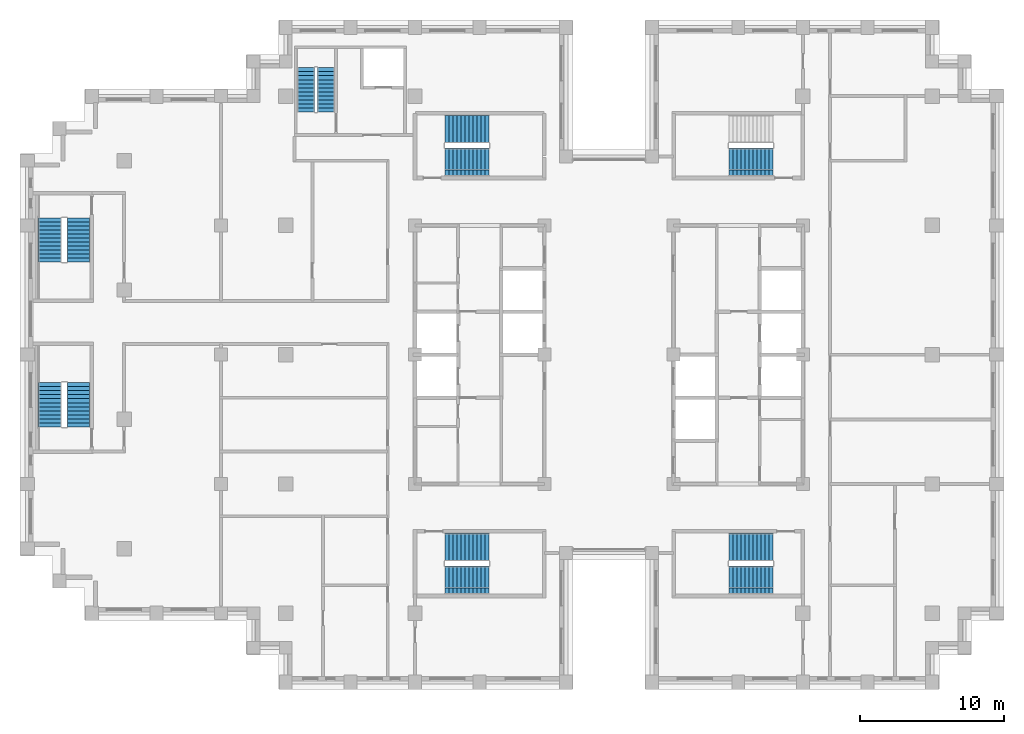
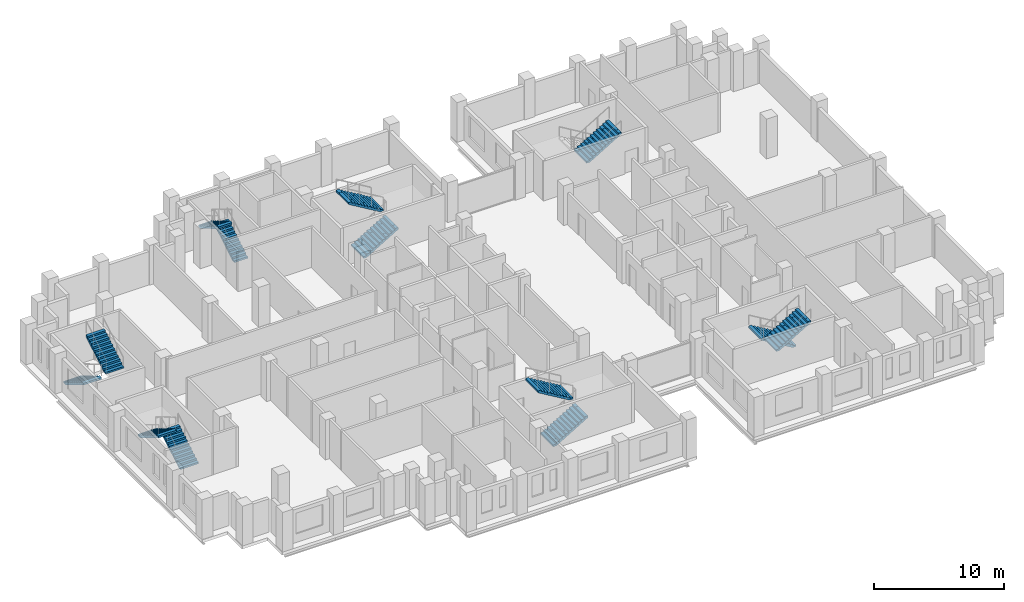
# One storey, part 12 of 15: 13 stair flights, 7 elements without a shape of their own.
"""IFC4 building model written with IfcOpenShell, lengths in metres."""

from ifc_helpers import new_model, si_unit, direction, frame, origin, place, context, subcontext, project, spatial, polyline, outline, extrude, material, type_object, element, aggregate, save


model = new_model("IFC4")

# Units and contexts
model_context = context("Model", 3, precision=1e-05, world=origin(), true_north=direction((0.0, 1.0)))
body_context = subcontext(model_context, "Body", "Model", "MODEL_VIEW")
ifc_project = project(units=[si_unit("LENGTHUNIT", "METRE"), si_unit("AREAUNIT", "SQUARE_METRE"), si_unit("VOLUMEUNIT", "CUBIC_METRE"), si_unit("PLANEANGLEUNIT", "RADIAN"), si_unit("MASSUNIT", "GRAM", prefix="KILO")], contexts=[model_context])

# Site, building, storey
site_placement = place(None, origin())
site = spatial("IfcSite", under=ifc_project, at=site_placement, CompositionType="ELEMENT")
building_placement = place(site_placement, origin())
building = spatial("IfcBuilding", under=site, at=building_placement, Name="Corbelhall Arena Tower", CompositionType="ELEMENT")
storey_placement = place(building_placement, frame((0.0, 0.0, 216.0)))
storey = spatial("IfcBuildingStorey", under=building, at=storey_placement, Name="L45", CompositionType="ELEMENT", Elevation=216.0)

# Stair, stair flights
ifc_material = material(Name="Concrete C40/50", Category="concrete")
stair_type = type_object("IfcStairType", Name="IN-ST-TOWER", PredefinedType="HALF_TURN_STAIR", material=ifc_material)
stair_1_placement = place(storey_placement, origin())
stair_1 = element("IfcStair", 1, at=stair_1_placement, inside=storey, type_object=stair_type, Name="L45 Exit stair ST1", PredefinedType="HALF_TURN_STAIR")
stair_flight_type = type_object("IfcStairFlightType", Name="IN-SFL-RC", PredefinedType="STRAIGHT", material=ifc_material)
stair_flight_1_placement = place(storey_placement, frame((-11.425048828125, 13.39990234375, 0.0), z_axis=(0.0, 0.0, 1.0), x_axis=(1.0, 0.0, 0.0)))
stair_flight_1 = element("IfcStairFlight", 2, at=stair_flight_1_placement, type_object=stair_flight_type, Name="ST1 flight 1", NumberOfRisers=12, NumberOfTreads=11, PredefinedType="STRAIGHT", RiserHeight=0.166666667, TreadLength=0.28, context=body_context, shape_type="SweptSolid", body=[
    extrude(outline(polyline([(0.0, 0.0), (0.0, 0.166748046875), (0.280029296875, 0.166748046875), (0.280029296875, 0.333251953125), (0.56005859375, 0.333251953125), (0.56005859375, 0.5), (0.840087890625, 0.5), (0.840087890625, 0.666748046875), (1.1201171875, 0.666748046875), (1.1201171875, 0.833251953125), (1.39990234375, 0.833251953125), (1.39990234375, 1.0), (1.679931640625, 1.0), (1.679931640625, 1.166748046875), (1.9599609375, 1.166748046875), (1.9599609375, 1.333251953125), (2.239990234375, 1.333251953125), (2.239990234375, 1.5), (2.52001953125, 1.5), (2.52001953125, 1.666748046875), (2.800048828125, 1.666748046875), (2.800048828125, 1.833251953125), (3.080078125, 1.833251953125), (3.080078125, 2.0), (3.080078125, 1.658935546875), (0.29296875, 0.0), (0.0, 0.0)])), frame((0.0, 0.97509765625, 0.0), z_axis=(0.0, -1.0, 0.0), x_axis=(1.0, 0.0, 0.0)), (0.0, 0.0, 1.0), 0.449951171875),
    extrude(outline(polyline([(0.0, 0.0), (0.0, 0.166748046875), (0.280029296875, 0.166748046875), (0.280029296875, 0.333251953125), (0.56005859375, 0.333251953125), (0.56005859375, 0.5), (0.840087890625, 0.5), (0.840087890625, 0.666748046875), (1.1201171875, 0.666748046875), (1.1201171875, 0.833251953125), (1.39990234375, 0.833251953125), (1.39990234375, 1.0), (1.679931640625, 1.0), (1.679931640625, 1.166748046875), (1.9599609375, 1.166748046875), (1.9599609375, 1.333251953125), (2.239990234375, 1.333251953125), (2.239990234375, 1.5), (2.52001953125, 1.5), (2.52001953125, 1.666748046875), (2.800048828125, 1.666748046875), (2.800048828125, 1.833251953125), (3.080078125, 1.833251953125), (3.080078125, 2.0), (3.080078125, 1.658935546875), (0.29296875, 0.0), (0.0, 0.0)])), frame((0.0, 0.52099609375, 0.0), z_axis=(0.0, -1.0, 0.0), x_axis=(1.0, 0.0, 0.0)), (0.0, 0.0, 1.0), 1.0419921875),
    extrude(outline(polyline([(0.0, 0.0), (0.0, 0.166748046875), (0.280029296875, 0.166748046875), (0.280029296875, 0.333251953125), (0.56005859375, 0.333251953125), (0.56005859375, 0.5), (0.840087890625, 0.5), (0.840087890625, 0.666748046875), (1.1201171875, 0.666748046875), (1.1201171875, 0.833251953125), (1.39990234375, 0.833251953125), (1.39990234375, 1.0), (1.679931640625, 1.0), (1.679931640625, 1.166748046875), (1.9599609375, 1.166748046875), (1.9599609375, 1.333251953125), (2.239990234375, 1.333251953125), (2.239990234375, 1.5), (2.52001953125, 1.5), (2.52001953125, 1.666748046875), (2.800048828125, 1.666748046875), (2.800048828125, 1.833251953125), (3.080078125, 1.833251953125), (3.080078125, 2.0), (3.080078125, 1.658935546875), (0.29296875, 0.0), (0.0, 0.0)])), frame((0.0, -0.52490234375, 0.0), z_axis=(0.0, -1.0, 0.0), x_axis=(1.0, 0.0, 0.0)), (0.0, 0.0, 1.0), 0.449951171875),
])
stair_flight_2_placement = place(storey_placement, frame((-8.344970703125, 15.699951171875, 2.0), z_axis=(0.0, 0.0, 1.0), x_axis=(-1.0, 0.0, 0.0)))
stair_flight_2 = element("IfcStairFlight", 3, at=stair_flight_2_placement, type_object=stair_flight_type, Name="ST1 flight 2", NumberOfRisers=12, NumberOfTreads=11, PredefinedType="STRAIGHT", RiserHeight=0.166666667, TreadLength=0.28, context=body_context, shape_type="SweptSolid", body=[
    extrude(outline(polyline([(0.0, 0.0), (0.0, 0.166748046875), (0.280029296875, 0.166748046875), (0.280029296875, 0.333251953125), (0.56005859375, 0.333251953125), (0.56005859375, 0.5), (0.840087890625, 0.5), (0.840087890625, 0.666748046875), (1.1201171875, 0.666748046875), (1.1201171875, 0.833251953125), (1.39990234375, 0.833251953125), (1.39990234375, 1.0), (1.679931640625, 1.0), (1.679931640625, 1.166748046875), (1.9599609375, 1.166748046875), (1.9599609375, 1.333251953125), (2.239990234375, 1.333251953125), (2.239990234375, 1.5), (2.52001953125, 1.5), (2.52001953125, 1.666748046875), (2.800048828125, 1.666748046875), (2.800048828125, 1.833251953125), (3.080078125, 1.833251953125), (3.080078125, 2.0), (3.080078125, 1.658935546875), (0.29296875, 0.0), (0.0, 0.0)])), frame((0.0, 0.97509765625, 0.0), z_axis=(0.0, -1.0, 0.0), x_axis=(1.0, 0.0, 0.0)), (0.0, 0.0, 1.0), 0.449951171875),
    extrude(outline(polyline([(0.0, 0.0), (0.0, 0.166748046875), (0.280029296875, 0.166748046875), (0.280029296875, 0.333251953125), (0.56005859375, 0.333251953125), (0.56005859375, 0.5), (0.840087890625, 0.5), (0.840087890625, 0.666748046875), (1.1201171875, 0.666748046875), (1.1201171875, 0.833251953125), (1.39990234375, 0.833251953125), (1.39990234375, 1.0), (1.679931640625, 1.0), (1.679931640625, 1.166748046875), (1.9599609375, 1.166748046875), (1.9599609375, 1.333251953125), (2.239990234375, 1.333251953125), (2.239990234375, 1.5), (2.52001953125, 1.5), (2.52001953125, 1.666748046875), (2.800048828125, 1.666748046875), (2.800048828125, 1.833251953125), (3.080078125, 1.833251953125), (3.080078125, 2.0), (3.080078125, 1.658935546875), (0.29296875, 0.0), (0.0, 0.0)])), frame((0.0, 0.52099609375, 0.0), z_axis=(0.0, -1.0, 0.0), x_axis=(1.0, 0.0, 0.0)), (0.0, 0.0, 1.0), 1.0419921875),
    extrude(outline(polyline([(0.0, 0.0), (0.0, 0.166748046875), (0.280029296875, 0.166748046875), (0.280029296875, 0.333251953125), (0.56005859375, 0.333251953125), (0.56005859375, 0.5), (0.840087890625, 0.5), (0.840087890625, 0.666748046875), (1.1201171875, 0.666748046875), (1.1201171875, 0.833251953125), (1.39990234375, 0.833251953125), (1.39990234375, 1.0), (1.679931640625, 1.0), (1.679931640625, 1.166748046875), (1.9599609375, 1.166748046875), (1.9599609375, 1.333251953125), (2.239990234375, 1.333251953125), (2.239990234375, 1.5), (2.52001953125, 1.5), (2.52001953125, 1.666748046875), (2.800048828125, 1.666748046875), (2.800048828125, 1.833251953125), (3.080078125, 1.833251953125), (3.080078125, 2.0), (3.080078125, 1.658935546875), (0.29296875, 0.0), (0.0, 0.0)])), frame((0.0, -0.52490234375, 0.0), z_axis=(0.0, -1.0, 0.0), x_axis=(1.0, 0.0, 0.0)), (0.0, 0.0, 1.0), 0.449951171875),
])
aggregate(stair_1, [stair_flight_1, stair_flight_2])

stair_2_placement = place(storey_placement, origin())
stair_2 = element("IfcStair", 4, at=stair_2_placement, inside=storey, type_object=stair_type, Name="L45 Exit stair ST2", PredefinedType="HALF_TURN_STAIR")
stair_flight_3_placement = place(storey_placement, frame((-11.425048828125, -15.699951171875, 0.0), z_axis=(0.0, 0.0, 1.0), x_axis=(1.0, 0.0, 0.0)))
stair_flight_3 = element("IfcStairFlight", 5, at=stair_flight_3_placement, type_object=stair_flight_type, Name="ST2 flight 1", NumberOfRisers=12, NumberOfTreads=11, PredefinedType="STRAIGHT", RiserHeight=0.166666667, TreadLength=0.28, context=body_context, shape_type="SweptSolid", body=[
    extrude(outline(polyline([(0.0, 0.0), (0.0, 0.166748046875), (0.280029296875, 0.166748046875), (0.280029296875, 0.333251953125), (0.56005859375, 0.333251953125), (0.56005859375, 0.5), (0.840087890625, 0.5), (0.840087890625, 0.666748046875), (1.1201171875, 0.666748046875), (1.1201171875, 0.833251953125), (1.39990234375, 0.833251953125), (1.39990234375, 1.0), (1.679931640625, 1.0), (1.679931640625, 1.166748046875), (1.9599609375, 1.166748046875), (1.9599609375, 1.333251953125), (2.239990234375, 1.333251953125), (2.239990234375, 1.5), (2.52001953125, 1.5), (2.52001953125, 1.666748046875), (2.800048828125, 1.666748046875), (2.800048828125, 1.833251953125), (3.080078125, 1.833251953125), (3.080078125, 2.0), (3.080078125, 1.658935546875), (0.29296875, 0.0), (0.0, 0.0)])), frame((0.0, 0.97509765625, 0.0), z_axis=(0.0, -1.0, 0.0), x_axis=(1.0, 0.0, 0.0)), (0.0, 0.0, 1.0), 0.449951171875),
    extrude(outline(polyline([(0.0, 0.0), (0.0, 0.166748046875), (0.280029296875, 0.166748046875), (0.280029296875, 0.333251953125), (0.56005859375, 0.333251953125), (0.56005859375, 0.5), (0.840087890625, 0.5), (0.840087890625, 0.666748046875), (1.1201171875, 0.666748046875), (1.1201171875, 0.833251953125), (1.39990234375, 0.833251953125), (1.39990234375, 1.0), (1.679931640625, 1.0), (1.679931640625, 1.166748046875), (1.9599609375, 1.166748046875), (1.9599609375, 1.333251953125), (2.239990234375, 1.333251953125), (2.239990234375, 1.5), (2.52001953125, 1.5), (2.52001953125, 1.666748046875), (2.800048828125, 1.666748046875), (2.800048828125, 1.833251953125), (3.080078125, 1.833251953125), (3.080078125, 2.0), (3.080078125, 1.658935546875), (0.29296875, 0.0), (0.0, 0.0)])), frame((0.0, 0.52099609375, 0.0), z_axis=(0.0, -1.0, 0.0), x_axis=(1.0, 0.0, 0.0)), (0.0, 0.0, 1.0), 1.0419921875),
    extrude(outline(polyline([(0.0, 0.0), (0.0, 0.166748046875), (0.280029296875, 0.166748046875), (0.280029296875, 0.333251953125), (0.56005859375, 0.333251953125), (0.56005859375, 0.5), (0.840087890625, 0.5), (0.840087890625, 0.666748046875), (1.1201171875, 0.666748046875), (1.1201171875, 0.833251953125), (1.39990234375, 0.833251953125), (1.39990234375, 1.0), (1.679931640625, 1.0), (1.679931640625, 1.166748046875), (1.9599609375, 1.166748046875), (1.9599609375, 1.333251953125), (2.239990234375, 1.333251953125), (2.239990234375, 1.5), (2.52001953125, 1.5), (2.52001953125, 1.666748046875), (2.800048828125, 1.666748046875), (2.800048828125, 1.833251953125), (3.080078125, 1.833251953125), (3.080078125, 2.0), (3.080078125, 1.658935546875), (0.29296875, 0.0), (0.0, 0.0)])), frame((0.0, -0.52490234375, 0.0), z_axis=(0.0, -1.0, 0.0), x_axis=(1.0, 0.0, 0.0)), (0.0, 0.0, 1.0), 0.449951171875),
])
stair_flight_4_placement = place(storey_placement, frame((-8.344970703125, -13.39990234375, 2.0), z_axis=(0.0, 0.0, 1.0), x_axis=(-1.0, 0.0, 0.0)))
stair_flight_4 = element("IfcStairFlight", 6, at=stair_flight_4_placement, type_object=stair_flight_type, Name="ST2 flight 2", NumberOfRisers=12, NumberOfTreads=11, PredefinedType="STRAIGHT", RiserHeight=0.166666667, TreadLength=0.28, context=body_context, shape_type="SweptSolid", body=[
    extrude(outline(polyline([(0.0, 0.0), (0.0, 0.166748046875), (0.280029296875, 0.166748046875), (0.280029296875, 0.333251953125), (0.56005859375, 0.333251953125), (0.56005859375, 0.5), (0.840087890625, 0.5), (0.840087890625, 0.666748046875), (1.1201171875, 0.666748046875), (1.1201171875, 0.833251953125), (1.39990234375, 0.833251953125), (1.39990234375, 1.0), (1.679931640625, 1.0), (1.679931640625, 1.166748046875), (1.9599609375, 1.166748046875), (1.9599609375, 1.333251953125), (2.239990234375, 1.333251953125), (2.239990234375, 1.5), (2.52001953125, 1.5), (2.52001953125, 1.666748046875), (2.800048828125, 1.666748046875), (2.800048828125, 1.833251953125), (3.080078125, 1.833251953125), (3.080078125, 2.0), (3.080078125, 1.658935546875), (0.29296875, 0.0), (0.0, 0.0)])), frame((0.0, 0.97509765625, 0.0), z_axis=(0.0, -1.0, 0.0), x_axis=(1.0, 0.0, 0.0)), (0.0, 0.0, 1.0), 0.449951171875),
    extrude(outline(polyline([(0.0, 0.0), (0.0, 0.166748046875), (0.280029296875, 0.166748046875), (0.280029296875, 0.333251953125), (0.56005859375, 0.333251953125), (0.56005859375, 0.5), (0.840087890625, 0.5), (0.840087890625, 0.666748046875), (1.1201171875, 0.666748046875), (1.1201171875, 0.833251953125), (1.39990234375, 0.833251953125), (1.39990234375, 1.0), (1.679931640625, 1.0), (1.679931640625, 1.166748046875), (1.9599609375, 1.166748046875), (1.9599609375, 1.333251953125), (2.239990234375, 1.333251953125), (2.239990234375, 1.5), (2.52001953125, 1.5), (2.52001953125, 1.666748046875), (2.800048828125, 1.666748046875), (2.800048828125, 1.833251953125), (3.080078125, 1.833251953125), (3.080078125, 2.0), (3.080078125, 1.658935546875), (0.29296875, 0.0), (0.0, 0.0)])), frame((0.0, 0.52099609375, 0.0), z_axis=(0.0, -1.0, 0.0), x_axis=(1.0, 0.0, 0.0)), (0.0, 0.0, 1.0), 1.0419921875),
    extrude(outline(polyline([(0.0, 0.0), (0.0, 0.166748046875), (0.280029296875, 0.166748046875), (0.280029296875, 0.333251953125), (0.56005859375, 0.333251953125), (0.56005859375, 0.5), (0.840087890625, 0.5), (0.840087890625, 0.666748046875), (1.1201171875, 0.666748046875), (1.1201171875, 0.833251953125), (1.39990234375, 0.833251953125), (1.39990234375, 1.0), (1.679931640625, 1.0), (1.679931640625, 1.166748046875), (1.9599609375, 1.166748046875), (1.9599609375, 1.333251953125), (2.239990234375, 1.333251953125), (2.239990234375, 1.5), (2.52001953125, 1.5), (2.52001953125, 1.666748046875), (2.800048828125, 1.666748046875), (2.800048828125, 1.833251953125), (3.080078125, 1.833251953125), (3.080078125, 2.0), (3.080078125, 1.658935546875), (0.29296875, 0.0), (0.0, 0.0)])), frame((0.0, -0.52490234375, 0.0), z_axis=(0.0, -1.0, 0.0), x_axis=(1.0, 0.0, 0.0)), (0.0, 0.0, 1.0), 0.449951171875),
])
aggregate(stair_2, [stair_flight_3, stair_flight_4])

# Stair, stair flight
stair_3_placement = place(storey_placement, origin())
stair_3 = element("IfcStair", 7, at=stair_3_placement, inside=storey, type_object=stair_type, Name="L45 Exit stair ST3", PredefinedType="HALF_TURN_STAIR")
stair_flight_5_placement = place(storey_placement, frame((8.344970703125, 13.39990234375, 2.0), z_axis=(0.0, 0.0, 1.0), x_axis=(1.0, 0.0, 0.0)))
stair_flight_5 = element("IfcStairFlight", 8, at=stair_flight_5_placement, type_object=stair_flight_type, Name="ST3 flight 2", NumberOfRisers=12, NumberOfTreads=11, PredefinedType="STRAIGHT", RiserHeight=0.166666667, TreadLength=0.28, context=body_context, shape_type="SweptSolid", body=[
    extrude(outline(polyline([(0.0, 0.0), (0.0, 0.166748046875), (0.280029296875, 0.166748046875), (0.280029296875, 0.333251953125), (0.56005859375, 0.333251953125), (0.56005859375, 0.5), (0.840087890625, 0.5), (0.840087890625, 0.666748046875), (1.1201171875, 0.666748046875), (1.1201171875, 0.833251953125), (1.39990234375, 0.833251953125), (1.39990234375, 1.0), (1.679931640625, 1.0), (1.679931640625, 1.166748046875), (1.9599609375, 1.166748046875), (1.9599609375, 1.333251953125), (2.239990234375, 1.333251953125), (2.239990234375, 1.5), (2.52001953125, 1.5), (2.52001953125, 1.666748046875), (2.800048828125, 1.666748046875), (2.800048828125, 1.833251953125), (3.080078125, 1.833251953125), (3.080078125, 2.0), (3.080078125, 1.658935546875), (0.29296875, 0.0), (0.0, 0.0)])), frame((0.0, 0.97509765625, 0.0), z_axis=(0.0, -1.0, 0.0), x_axis=(1.0, 0.0, 0.0)), (0.0, 0.0, 1.0), 0.449951171875),
    extrude(outline(polyline([(0.0, 0.0), (0.0, 0.166748046875), (0.280029296875, 0.166748046875), (0.280029296875, 0.333251953125), (0.56005859375, 0.333251953125), (0.56005859375, 0.5), (0.840087890625, 0.5), (0.840087890625, 0.666748046875), (1.1201171875, 0.666748046875), (1.1201171875, 0.833251953125), (1.39990234375, 0.833251953125), (1.39990234375, 1.0), (1.679931640625, 1.0), (1.679931640625, 1.166748046875), (1.9599609375, 1.166748046875), (1.9599609375, 1.333251953125), (2.239990234375, 1.333251953125), (2.239990234375, 1.5), (2.52001953125, 1.5), (2.52001953125, 1.666748046875), (2.800048828125, 1.666748046875), (2.800048828125, 1.833251953125), (3.080078125, 1.833251953125), (3.080078125, 2.0), (3.080078125, 1.658935546875), (0.29296875, 0.0), (0.0, 0.0)])), frame((0.0, 0.52099609375, 0.0), z_axis=(0.0, -1.0, 0.0), x_axis=(1.0, 0.0, 0.0)), (0.0, 0.0, 1.0), 1.0419921875),
    extrude(outline(polyline([(0.0, 0.0), (0.0, 0.166748046875), (0.280029296875, 0.166748046875), (0.280029296875, 0.333251953125), (0.56005859375, 0.333251953125), (0.56005859375, 0.5), (0.840087890625, 0.5), (0.840087890625, 0.666748046875), (1.1201171875, 0.666748046875), (1.1201171875, 0.833251953125), (1.39990234375, 0.833251953125), (1.39990234375, 1.0), (1.679931640625, 1.0), (1.679931640625, 1.166748046875), (1.9599609375, 1.166748046875), (1.9599609375, 1.333251953125), (2.239990234375, 1.333251953125), (2.239990234375, 1.5), (2.52001953125, 1.5), (2.52001953125, 1.666748046875), (2.800048828125, 1.666748046875), (2.800048828125, 1.833251953125), (3.080078125, 1.833251953125), (3.080078125, 2.0), (3.080078125, 1.658935546875), (0.29296875, 0.0), (0.0, 0.0)])), frame((0.0, -0.52490234375, 0.0), z_axis=(0.0, -1.0, 0.0), x_axis=(1.0, 0.0, 0.0)), (0.0, 0.0, 1.0), 0.449951171875),
])
aggregate(stair_3, [stair_flight_5])

# Stair, stair flights
stair_4_placement = place(storey_placement, origin())
stair_4 = element("IfcStair", 9, at=stair_4_placement, inside=storey, type_object=stair_type, Name="L45 Exit stair ST4", PredefinedType="HALF_TURN_STAIR")
stair_flight_6_placement = place(storey_placement, frame((11.425048828125, -13.39990234375, 0.0), z_axis=(0.0, 0.0, 1.0), x_axis=(-1.0, 0.0, 0.0)))
stair_flight_6 = element("IfcStairFlight", 10, at=stair_flight_6_placement, type_object=stair_flight_type, Name="ST4 flight 1", NumberOfRisers=12, NumberOfTreads=11, PredefinedType="STRAIGHT", RiserHeight=0.166666667, TreadLength=0.28, context=body_context, shape_type="SweptSolid", body=[
    extrude(outline(polyline([(0.0, 0.0), (0.0, 0.166748046875), (0.280029296875, 0.166748046875), (0.280029296875, 0.333251953125), (0.56005859375, 0.333251953125), (0.56005859375, 0.5), (0.840087890625, 0.5), (0.840087890625, 0.666748046875), (1.1201171875, 0.666748046875), (1.1201171875, 0.833251953125), (1.39990234375, 0.833251953125), (1.39990234375, 1.0), (1.679931640625, 1.0), (1.679931640625, 1.166748046875), (1.9599609375, 1.166748046875), (1.9599609375, 1.333251953125), (2.239990234375, 1.333251953125), (2.239990234375, 1.5), (2.52001953125, 1.5), (2.52001953125, 1.666748046875), (2.800048828125, 1.666748046875), (2.800048828125, 1.833251953125), (3.080078125, 1.833251953125), (3.080078125, 2.0), (3.080078125, 1.658935546875), (0.29296875, 0.0), (0.0, 0.0)])), frame((0.0, 0.97509765625, 0.0), z_axis=(0.0, -1.0, 0.0), x_axis=(1.0, 0.0, 0.0)), (0.0, 0.0, 1.0), 0.449951171875),
    extrude(outline(polyline([(0.0, 0.0), (0.0, 0.166748046875), (0.280029296875, 0.166748046875), (0.280029296875, 0.333251953125), (0.56005859375, 0.333251953125), (0.56005859375, 0.5), (0.840087890625, 0.5), (0.840087890625, 0.666748046875), (1.1201171875, 0.666748046875), (1.1201171875, 0.833251953125), (1.39990234375, 0.833251953125), (1.39990234375, 1.0), (1.679931640625, 1.0), (1.679931640625, 1.166748046875), (1.9599609375, 1.166748046875), (1.9599609375, 1.333251953125), (2.239990234375, 1.333251953125), (2.239990234375, 1.5), (2.52001953125, 1.5), (2.52001953125, 1.666748046875), (2.800048828125, 1.666748046875), (2.800048828125, 1.833251953125), (3.080078125, 1.833251953125), (3.080078125, 2.0), (3.080078125, 1.658935546875), (0.29296875, 0.0), (0.0, 0.0)])), frame((0.0, 0.52099609375, 0.0), z_axis=(0.0, -1.0, 0.0), x_axis=(1.0, 0.0, 0.0)), (0.0, 0.0, 1.0), 1.0419921875),
    extrude(outline(polyline([(0.0, 0.0), (0.0, 0.166748046875), (0.280029296875, 0.166748046875), (0.280029296875, 0.333251953125), (0.56005859375, 0.333251953125), (0.56005859375, 0.5), (0.840087890625, 0.5), (0.840087890625, 0.666748046875), (1.1201171875, 0.666748046875), (1.1201171875, 0.833251953125), (1.39990234375, 0.833251953125), (1.39990234375, 1.0), (1.679931640625, 1.0), (1.679931640625, 1.166748046875), (1.9599609375, 1.166748046875), (1.9599609375, 1.333251953125), (2.239990234375, 1.333251953125), (2.239990234375, 1.5), (2.52001953125, 1.5), (2.52001953125, 1.666748046875), (2.800048828125, 1.666748046875), (2.800048828125, 1.833251953125), (3.080078125, 1.833251953125), (3.080078125, 2.0), (3.080078125, 1.658935546875), (0.29296875, 0.0), (0.0, 0.0)])), frame((0.0, -0.52490234375, 0.0), z_axis=(0.0, -1.0, 0.0), x_axis=(1.0, 0.0, 0.0)), (0.0, 0.0, 1.0), 0.449951171875),
])
stair_flight_7_placement = place(storey_placement, frame((8.344970703125, -15.699951171875, 2.0), z_axis=(0.0, 0.0, 1.0), x_axis=(1.0, 0.0, 0.0)))
stair_flight_7 = element("IfcStairFlight", 11, at=stair_flight_7_placement, type_object=stair_flight_type, Name="ST4 flight 2", NumberOfRisers=12, NumberOfTreads=11, PredefinedType="STRAIGHT", RiserHeight=0.166666667, TreadLength=0.28, context=body_context, shape_type="SweptSolid", body=[
    extrude(outline(polyline([(0.0, 0.0), (0.0, 0.166748046875), (0.280029296875, 0.166748046875), (0.280029296875, 0.333251953125), (0.56005859375, 0.333251953125), (0.56005859375, 0.5), (0.840087890625, 0.5), (0.840087890625, 0.666748046875), (1.1201171875, 0.666748046875), (1.1201171875, 0.833251953125), (1.39990234375, 0.833251953125), (1.39990234375, 1.0), (1.679931640625, 1.0), (1.679931640625, 1.166748046875), (1.9599609375, 1.166748046875), (1.9599609375, 1.333251953125), (2.239990234375, 1.333251953125), (2.239990234375, 1.5), (2.52001953125, 1.5), (2.52001953125, 1.666748046875), (2.800048828125, 1.666748046875), (2.800048828125, 1.833251953125), (3.080078125, 1.833251953125), (3.080078125, 2.0), (3.080078125, 1.658935546875), (0.29296875, 0.0), (0.0, 0.0)])), frame((0.0, 0.97509765625, 0.0), z_axis=(0.0, -1.0, 0.0), x_axis=(1.0, 0.0, 0.0)), (0.0, 0.0, 1.0), 0.449951171875),
    extrude(outline(polyline([(0.0, 0.0), (0.0, 0.166748046875), (0.280029296875, 0.166748046875), (0.280029296875, 0.333251953125), (0.56005859375, 0.333251953125), (0.56005859375, 0.5), (0.840087890625, 0.5), (0.840087890625, 0.666748046875), (1.1201171875, 0.666748046875), (1.1201171875, 0.833251953125), (1.39990234375, 0.833251953125), (1.39990234375, 1.0), (1.679931640625, 1.0), (1.679931640625, 1.166748046875), (1.9599609375, 1.166748046875), (1.9599609375, 1.333251953125), (2.239990234375, 1.333251953125), (2.239990234375, 1.5), (2.52001953125, 1.5), (2.52001953125, 1.666748046875), (2.800048828125, 1.666748046875), (2.800048828125, 1.833251953125), (3.080078125, 1.833251953125), (3.080078125, 2.0), (3.080078125, 1.658935546875), (0.29296875, 0.0), (0.0, 0.0)])), frame((0.0, 0.52099609375, 0.0), z_axis=(0.0, -1.0, 0.0), x_axis=(1.0, 0.0, 0.0)), (0.0, 0.0, 1.0), 1.0419921875),
    extrude(outline(polyline([(0.0, 0.0), (0.0, 0.166748046875), (0.280029296875, 0.166748046875), (0.280029296875, 0.333251953125), (0.56005859375, 0.333251953125), (0.56005859375, 0.5), (0.840087890625, 0.5), (0.840087890625, 0.666748046875), (1.1201171875, 0.666748046875), (1.1201171875, 0.833251953125), (1.39990234375, 0.833251953125), (1.39990234375, 1.0), (1.679931640625, 1.0), (1.679931640625, 1.166748046875), (1.9599609375, 1.166748046875), (1.9599609375, 1.333251953125), (2.239990234375, 1.333251953125), (2.239990234375, 1.5), (2.52001953125, 1.5), (2.52001953125, 1.666748046875), (2.800048828125, 1.666748046875), (2.800048828125, 1.833251953125), (3.080078125, 1.833251953125), (3.080078125, 2.0), (3.080078125, 1.658935546875), (0.29296875, 0.0), (0.0, 0.0)])), frame((0.0, -0.52490234375, 0.0), z_axis=(0.0, -1.0, 0.0), x_axis=(1.0, 0.0, 0.0)), (0.0, 0.0, 1.0), 0.449951171875),
])
aggregate(stair_4, [stair_flight_6, stair_flight_7])

stair_5_placement = place(storey_placement, origin())
stair_5 = element("IfcStair", 12, at=stair_5_placement, inside=storey, type_object=stair_type, Name="L45 Exit stair SC1", PredefinedType="HALF_TURN_STAIR")
stair_flight_8_placement = place(storey_placement, frame((-38.89990234375, 9.52490234375, 0.0), z_axis=(0.0, 0.0, 1.0), x_axis=(0.0, -1.0, 0.0)))
stair_flight_8 = element("IfcStairFlight", 13, at=stair_flight_8_placement, type_object=stair_flight_type, Name="SC1 flight 1", NumberOfRisers=12, NumberOfTreads=11, PredefinedType="STRAIGHT", RiserHeight=0.166666667, TreadLength=0.28, context=body_context, shape_type="SweptSolid", body=[
    extrude(outline(polyline([(0.0, 0.0), (0.0, 0.166748046875), (0.280029296875, 0.166748046875), (0.280029296875, 0.333251953125), (0.56005859375, 0.333251953125), (0.56005859375, 0.5), (0.840087890625, 0.5), (0.840087890625, 0.666748046875), (1.1201171875, 0.666748046875), (1.1201171875, 0.833251953125), (1.39990234375, 0.833251953125), (1.39990234375, 1.0), (1.679931640625, 1.0), (1.679931640625, 1.166748046875), (1.9599609375, 1.166748046875), (1.9599609375, 1.333251953125), (2.239990234375, 1.333251953125), (2.239990234375, 1.5), (2.52001953125, 1.5), (2.52001953125, 1.666748046875), (2.800048828125, 1.666748046875), (2.800048828125, 1.833251953125), (3.080078125, 1.833251953125), (3.080078125, 2.0), (3.080078125, 1.658935546875), (0.29296875, 0.0), (0.0, 0.0)])), frame((0.0, 0.800048828125, 0.0), z_axis=(0.0, -1.0, 0.0), x_axis=(1.0, 0.0, 0.0)), (0.0, 0.0, 1.0), 1.60009765625),
])
stair_flight_9_placement = place(storey_placement, frame((-36.925048828125, 6.445068359375, 2.0), z_axis=(0.0, 0.0, 1.0), x_axis=(0.0, 1.0, 0.0)))
stair_flight_9 = element("IfcStairFlight", 14, at=stair_flight_9_placement, type_object=stair_flight_type, Name="SC1 flight 2", NumberOfRisers=12, NumberOfTreads=11, PredefinedType="STRAIGHT", RiserHeight=0.166666667, TreadLength=0.28, context=body_context, shape_type="SweptSolid", body=[
    extrude(outline(polyline([(0.0, 0.0), (0.0, 0.166748046875), (0.280029296875, 0.166748046875), (0.280029296875, 0.333251953125), (0.56005859375, 0.333251953125), (0.56005859375, 0.5), (0.840087890625, 0.5), (0.840087890625, 0.666748046875), (1.1201171875, 0.666748046875), (1.1201171875, 0.833251953125), (1.39990234375, 0.833251953125), (1.39990234375, 1.0), (1.679931640625, 1.0), (1.679931640625, 1.166748046875), (1.9599609375, 1.166748046875), (1.9599609375, 1.333251953125), (2.239990234375, 1.333251953125), (2.239990234375, 1.5), (2.52001953125, 1.5), (2.52001953125, 1.666748046875), (2.800048828125, 1.666748046875), (2.800048828125, 1.833251953125), (3.080078125, 1.833251953125), (3.080078125, 2.0), (3.080078125, 1.658935546875), (0.29296875, 0.0), (0.0, 0.0)])), frame((0.0, 0.800048828125, 0.0), z_axis=(0.0, -1.0, 0.0), x_axis=(1.0, 0.0, 0.0)), (0.0, 0.0, 1.0), 1.60009765625),
])
aggregate(stair_5, [stair_flight_8, stair_flight_9])

stair_6_placement = place(storey_placement, origin())
stair_6 = element("IfcStair", 15, at=stair_6_placement, inside=storey, type_object=stair_type, Name="L45 Exit stair SC2", PredefinedType="HALF_TURN_STAIR")
stair_flight_10_placement = place(storey_placement, frame((-36.925048828125, -5.02490234375, 0.0), z_axis=(0.0, 0.0, 1.0), x_axis=(0.0, 1.0, 0.0)))
stair_flight_10 = element("IfcStairFlight", 16, at=stair_flight_10_placement, type_object=stair_flight_type, Name="SC2 flight 1", NumberOfRisers=12, NumberOfTreads=11, PredefinedType="STRAIGHT", RiserHeight=0.166666667, TreadLength=0.28, context=body_context, shape_type="SweptSolid", body=[
    extrude(outline(polyline([(0.0, 0.0), (0.0, 0.166748046875), (0.280029296875, 0.166748046875), (0.280029296875, 0.333251953125), (0.56005859375, 0.333251953125), (0.56005859375, 0.5), (0.840087890625, 0.5), (0.840087890625, 0.666748046875), (1.1201171875, 0.666748046875), (1.1201171875, 0.833251953125), (1.39990234375, 0.833251953125), (1.39990234375, 1.0), (1.679931640625, 1.0), (1.679931640625, 1.166748046875), (1.9599609375, 1.166748046875), (1.9599609375, 1.333251953125), (2.239990234375, 1.333251953125), (2.239990234375, 1.5), (2.52001953125, 1.5), (2.52001953125, 1.666748046875), (2.800048828125, 1.666748046875), (2.800048828125, 1.833251953125), (3.080078125, 1.833251953125), (3.080078125, 2.0), (3.080078125, 1.658935546875), (0.29296875, 0.0), (0.0, 0.0)])), frame((0.0, 0.800048828125, 0.0), z_axis=(0.0, -1.0, 0.0), x_axis=(1.0, 0.0, 0.0)), (0.0, 0.0, 1.0), 1.60009765625),
])
stair_flight_11_placement = place(storey_placement, frame((-38.89990234375, -1.945068359375, 2.0), z_axis=(0.0, 0.0, 1.0), x_axis=(0.0, -1.0, 0.0)))
stair_flight_11 = element("IfcStairFlight", 17, at=stair_flight_11_placement, type_object=stair_flight_type, Name="SC2 flight 2", NumberOfRisers=12, NumberOfTreads=11, PredefinedType="STRAIGHT", RiserHeight=0.166666667, TreadLength=0.28, context=body_context, shape_type="SweptSolid", body=[
    extrude(outline(polyline([(0.0, 0.0), (0.0, 0.166748046875), (0.280029296875, 0.166748046875), (0.280029296875, 0.333251953125), (0.56005859375, 0.333251953125), (0.56005859375, 0.5), (0.840087890625, 0.5), (0.840087890625, 0.666748046875), (1.1201171875, 0.666748046875), (1.1201171875, 0.833251953125), (1.39990234375, 0.833251953125), (1.39990234375, 1.0), (1.679931640625, 1.0), (1.679931640625, 1.166748046875), (1.9599609375, 1.166748046875), (1.9599609375, 1.333251953125), (2.239990234375, 1.333251953125), (2.239990234375, 1.5), (2.52001953125, 1.5), (2.52001953125, 1.666748046875), (2.800048828125, 1.666748046875), (2.800048828125, 1.833251953125), (3.080078125, 1.833251953125), (3.080078125, 2.0), (3.080078125, 1.658935546875), (0.29296875, 0.0), (0.0, 0.0)])), frame((0.0, 0.800048828125, 0.0), z_axis=(0.0, -1.0, 0.0), x_axis=(1.0, 0.0, 0.0)), (0.0, 0.0, 1.0), 1.60009765625),
])
aggregate(stair_6, [stair_flight_10, stair_flight_11])

stair_7_placement = place(storey_placement, origin())
stair_7 = element("IfcStair", 18, at=stair_7_placement, inside=storey, type_object=stair_type, Name="L45 Exit stair ST5", PredefinedType="HALF_TURN_STAIR")
stair_flight_12_placement = place(storey_placement, frame((-19.695068359375, 16.89990234375, 0.0), z_axis=(0.0, 0.0, 1.0), x_axis=(0.0, 1.0, 0.0)))
stair_flight_12 = element("IfcStairFlight", 19, at=stair_flight_12_placement, type_object=stair_flight_type, Name="ST5 flight 1", NumberOfRisers=12, NumberOfTreads=11, PredefinedType="STRAIGHT", RiserHeight=0.166666667, TreadLength=0.28, context=body_context, shape_type="SweptSolid", body=[
    extrude(outline(polyline([(0.0, 0.0), (0.0, 0.166748046875), (0.280029296875, 0.166748046875), (0.280029296875, 0.333251953125), (0.56005859375, 0.333251953125), (0.56005859375, 0.5), (0.840087890625, 0.5), (0.840087890625, 0.666748046875), (1.1201171875, 0.666748046875), (1.1201171875, 0.833251953125), (1.39990234375, 0.833251953125), (1.39990234375, 1.0), (1.679931640625, 1.0), (1.679931640625, 1.166748046875), (1.9599609375, 1.166748046875), (1.9599609375, 1.333251953125), (2.239990234375, 1.333251953125), (2.239990234375, 1.5), (2.52001953125, 1.5), (2.52001953125, 1.666748046875), (2.800048828125, 1.666748046875), (2.800048828125, 1.833251953125), (3.080078125, 1.833251953125), (3.080078125, 2.0), (3.080078125, 1.658935546875), (0.29296875, 0.0), (0.0, 0.0)])), frame((0.0, 0.60009765625, 0.0), z_axis=(0.0, -1.0, 0.0), x_axis=(1.0, 0.0, 0.0)), (0.0, 0.0, 1.0), 1.199951171875),
])
stair_flight_13_placement = place(storey_placement, frame((-21.094970703125, 19.97998046875, 2.0), z_axis=(0.0, 0.0, 1.0), x_axis=(0.0, -1.0, 0.0)))
stair_flight_13 = element("IfcStairFlight", 20, at=stair_flight_13_placement, type_object=stair_flight_type, Name="ST5 flight 2", NumberOfRisers=12, NumberOfTreads=11, PredefinedType="STRAIGHT", RiserHeight=0.166666667, TreadLength=0.28, context=body_context, shape_type="SweptSolid", body=[
    extrude(outline(polyline([(0.0, 0.0), (0.0, 0.166748046875), (0.280029296875, 0.166748046875), (0.280029296875, 0.333251953125), (0.56005859375, 0.333251953125), (0.56005859375, 0.5), (0.840087890625, 0.5), (0.840087890625, 0.666748046875), (1.1201171875, 0.666748046875), (1.1201171875, 0.833251953125), (1.39990234375, 0.833251953125), (1.39990234375, 1.0), (1.679931640625, 1.0), (1.679931640625, 1.166748046875), (1.9599609375, 1.166748046875), (1.9599609375, 1.333251953125), (2.239990234375, 1.333251953125), (2.239990234375, 1.5), (2.52001953125, 1.5), (2.52001953125, 1.666748046875), (2.800048828125, 1.666748046875), (2.800048828125, 1.833251953125), (3.080078125, 1.833251953125), (3.080078125, 2.0), (3.080078125, 1.658935546875), (0.29296875, 0.0), (0.0, 0.0)])), frame((0.0, 0.60009765625, 0.0), z_axis=(0.0, -1.0, 0.0), x_axis=(1.0, 0.0, 0.0)), (0.0, 0.0, 1.0), 1.199951171875),
])
aggregate(stair_7, [stair_flight_12, stair_flight_13])

save(model, "model.ifc")
